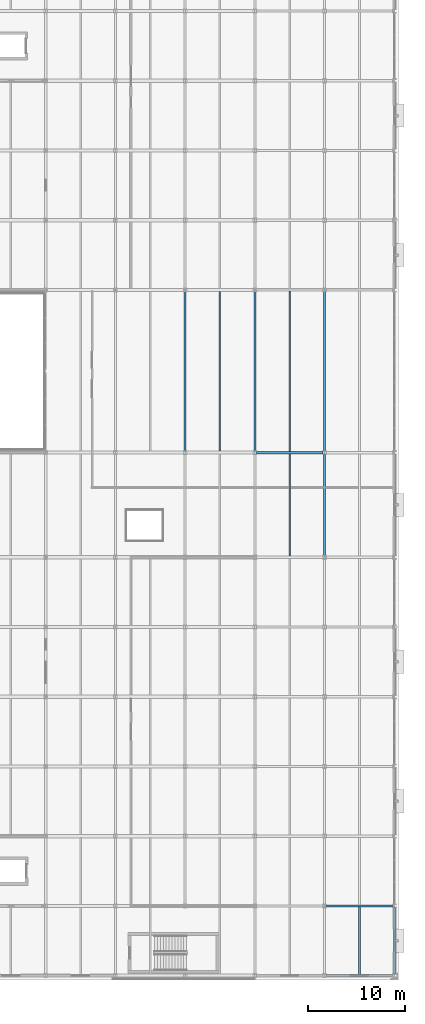
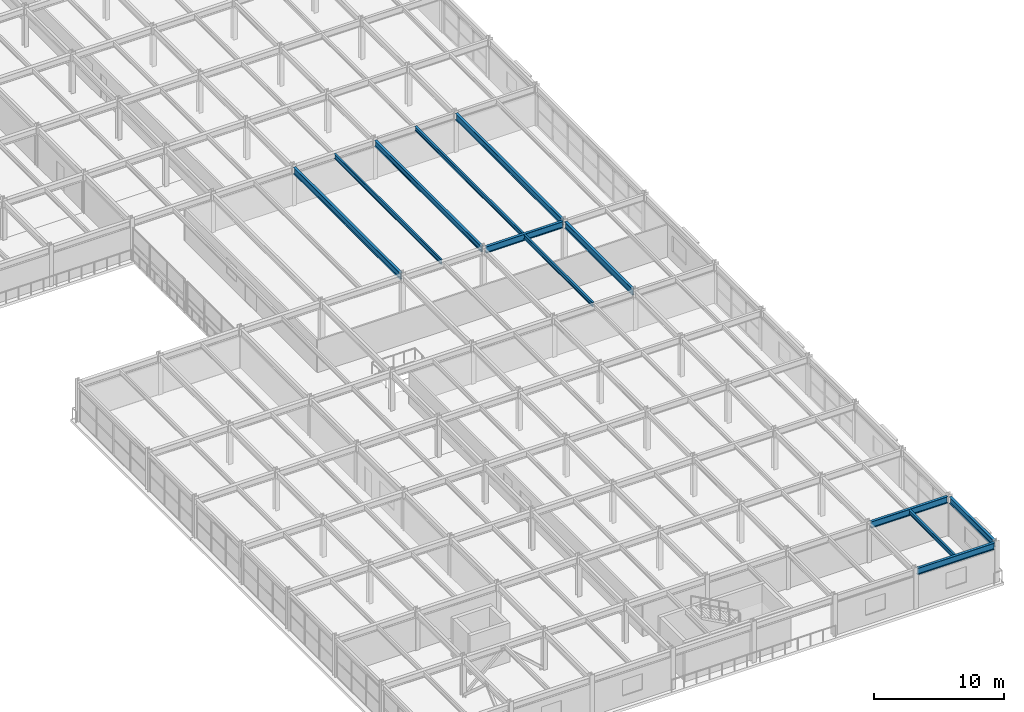
# One storey, part 37 of 93: 12 beams.
"""IFC4 building model written with IfcOpenShell, lengths in metres."""

from ifc_helpers import new_model, si_unit, direction, frame, origin, origin_2d, place, context, subcontext, project, spatial, i_section, extrude, material, material_profile, profile_set, type_object, element, save


model = new_model("IFC4")

# Units and contexts
model_context = context("Model", 3, precision=1e-05, world=origin(), true_north=direction((0.0, 1.0)))
body_context = subcontext(model_context, "Body", "Model", "MODEL_VIEW")
ifc_project = project(units=[si_unit("LENGTHUNIT", "METRE"), si_unit("AREAUNIT", "SQUARE_METRE"), si_unit("VOLUMEUNIT", "CUBIC_METRE"), si_unit("PLANEANGLEUNIT", "RADIAN"), si_unit("MASSUNIT", "GRAM", prefix="KILO")], contexts=[model_context])

# Site, building, storey
site_placement = place(None, origin())
site = spatial("IfcSite", under=ifc_project, at=site_placement, CompositionType="ELEMENT")
building_placement = place(site_placement, origin())
building = spatial("IfcBuilding", under=site, at=building_placement, Name="Vaelcorin Mobility Hub", CompositionType="ELEMENT")
storey_placement = place(building_placement, frame((0.0, 0.0, 5.39990234375)))
storey = spatial("IfcBuildingStorey", under=building, at=storey_placement, Name="L01", CompositionType="ELEMENT", Elevation=5.39990234375)

# Beams
ifc_material = material(Name="Steel ASTM A992 Grade 50", Category="steel")
ifc_material_profile_1 = material_profile(ifc_material, i_section(OverallWidth=0.177978515625, OverallDepth=0.404052734375, WebThickness=0.007568359375, FlangeThickness=0.010986328125, FilletRadius=0.012939453125, at=origin_2d()), Name="W16X36")
ifc_profile_set_1 = profile_set([ifc_material_profile_1], Name="Steel ASTM A992 Grade 50")
beam_type_1 = type_object("IfcBeamType", Name="BM-W16X36", PredefinedType="JOIST", material=ifc_profile_set_1)
beam_1_placement = place(storey_placement, frame((193.199951171875, 49.31201171875, 3.498046875), z_axis=(0.0, 1.0, 0.0), x_axis=(-1.0, 0.0, 0.0)))
element("IfcBeam", 1, at=beam_1_placement, inside=storey, type_object=beam_type_1, Name="L01 Beam V5E-L01-J-01-07-1", PredefinedType="JOIST", context=body_context, shape_type="SweptSolid", body=[
    extrude(i_section(OverallWidth=0.177978515625, OverallDepth=0.404052734375, WebThickness=0.007568359375, FlangeThickness=0.010986328125, FilletRadius=0.012939453125, at=origin_2d()), origin(), (0.0, 0.0, 1.0), 10.575927734375),
])
beam_2_placement = place(storey_placement, frame((193.199951171875, 60.112060546875, 3.498046875), z_axis=(0.0, 1.0, 0.0), x_axis=(-1.0, 0.0, 0.0)))
element("IfcBeam", 2, at=beam_2_placement, inside=storey, type_object=beam_type_1, Name="L01 Beam V5E-L01-J-01-08-1", PredefinedType="JOIST", context=body_context, shape_type="SweptSolid", body=[
    extrude(i_section(OverallWidth=0.177978515625, OverallDepth=0.404052734375, WebThickness=0.007568359375, FlangeThickness=0.010986328125, FilletRadius=0.012939453125, at=origin_2d()), origin(), (0.0, 0.0, 1.0), 16.575927734375),
])
beam_3_placement = place(storey_placement, frame((200.39990234375, 6.112060546875, 3.498046875), z_axis=(0.0, 1.0, 0.0), x_axis=(-1.0, 0.0, 0.0)))
element("IfcBeam", 3, at=beam_3_placement, inside=storey, type_object=beam_type_1, Name="L01 Beam V5E-L01-J-02-01-1", PredefinedType="JOIST", context=body_context, shape_type="SweptSolid", body=[
    extrude(i_section(OverallWidth=0.177978515625, OverallDepth=0.404052734375, WebThickness=0.007568359375, FlangeThickness=0.010986328125, FilletRadius=0.012939453125, at=origin_2d()), origin(), (0.0, 0.0, 1.0), 6.974853515625),
])
ifc_material_profile_2 = material_profile(ifc_material, i_section(OverallWidth=0.152099609375, OverallDepth=0.455078125, WebThickness=0.008056640625, FlangeThickness=0.01318359375, FilletRadius=0.012939453125, at=origin_2d()), Name="W18X40")
ifc_profile_set_2 = profile_set([ifc_material_profile_2], Name="Steel ASTM A992 Grade 50")
beam_type_2 = type_object("IfcBeamType", Name="BM-W18X40", PredefinedType="JOIST", material=ifc_profile_set_2)
beam_4_placement = place(storey_placement, frame((186.0, 60.159912109375, 3.443115234375), z_axis=(0.0, 1.0, 0.0), x_axis=(-1.0, 0.0, 0.0)))
element("IfcBeam", 4, at=beam_4_placement, inside=storey, type_object=beam_type_2, Name="L01 Beam V5-L01-J-05-08-1", PredefinedType="JOIST", context=body_context, shape_type="SweptSolid", body=[
    extrude(i_section(OverallWidth=0.152099609375, OverallDepth=0.455078125, WebThickness=0.008056640625, FlangeThickness=0.01318359375, FilletRadius=0.012939453125, at=origin_2d()), origin(), (0.0, 0.0, 1.0), 16.47998046875),
])
ifc_material_profile_3 = material_profile(ifc_material, i_section(OverallWidth=0.2099609375, OverallDepth=0.535888671875, WebThickness=0.010986328125, FlangeThickness=0.017333984375, FilletRadius=0.013916015625, at=origin_2d()), Name="W21X68")
ifc_profile_set_3 = profile_set([ifc_material_profile_3], Name="Steel ASTM A992 Grade 50")
beam_type_3 = type_object("IfcBeamType", Name="BM-W21X68", PredefinedType="SPANDREL", material=ifc_profile_set_3)
beam_5_placement = place(storey_placement, frame((189.60009765625, 60.18408203125, 3.402099609375), z_axis=(0.0, 1.0, 0.0), x_axis=(-1.0, 0.0, 0.0)))
element("IfcBeam", 5, at=beam_5_placement, inside=storey, type_object=beam_type_3, Name="L01 Beam V5-L01-GY-06-08", PredefinedType="SPANDREL", context=body_context, shape_type="SweptSolid", body=[
    extrude(i_section(OverallWidth=0.2099609375, OverallDepth=0.535888671875, WebThickness=0.010986328125, FlangeThickness=0.017333984375, FilletRadius=0.013916015625, at=origin_2d()), origin(), (0.0, 0.0, 1.0), 16.431884765625),
])
ifc_material_profile_4 = material_profile(ifc_material, i_section(OverallWidth=0.22802734375, OverallDepth=0.60205078125, WebThickness=0.010498046875, FlangeThickness=0.014892578125, FilletRadius=0.014892578125, at=origin_2d()), Name="W24X68")
ifc_profile_set_4 = profile_set([ifc_material_profile_4], Name="Steel ASTM A992 Grade 50")
beam_type_4 = type_object("IfcBeamType", Name="BM-W24X68", PredefinedType="SPANDREL", material=ifc_profile_set_4)
beam_6_placement = place(storey_placement, frame((196.985107421875, 6.0, 3.399169921875), z_axis=(1.0, 0.0, 0.0), x_axis=(0.0, 1.0, 0.0)))
element("IfcBeam", 6, at=beam_6_placement, inside=storey, type_object=beam_type_4, Name="L01 Beam V5E-L01-GX-01-02", PredefinedType="SPANDREL", context=body_context, shape_type="SweptSolid", body=[
    extrude(i_section(OverallWidth=0.22802734375, OverallDepth=0.60205078125, WebThickness=0.010498046875, FlangeThickness=0.014892578125, FilletRadius=0.014892578125, at=origin_2d()), origin(), (0.0, 0.0, 1.0), 6.830810546875),
])
beam_7_placement = place(storey_placement, frame((196.800048828125, 49.384033203125, 3.399169921875), z_axis=(0.0, 1.0, 0.0), x_axis=(-1.0, 0.0, 0.0)))
element("IfcBeam", 7, at=beam_7_placement, inside=storey, type_object=beam_type_4, Name="L01 Beam V5E-L01-GY-02-07", PredefinedType="SPANDREL", context=body_context, shape_type="SweptSolid", body=[
    extrude(i_section(OverallWidth=0.22802734375, OverallDepth=0.60205078125, WebThickness=0.010498046875, FlangeThickness=0.014892578125, FilletRadius=0.014892578125, at=origin_2d()), origin(), (0.0, 0.0, 1.0), 10.431884765625),
])
beam_8_placement = place(storey_placement, frame((196.800048828125, 60.18408203125, 3.399169921875), z_axis=(0.0, 1.0, 0.0), x_axis=(-1.0, 0.0, 0.0)))
element("IfcBeam", 8, at=beam_8_placement, inside=storey, type_object=beam_type_4, Name="L01 Beam V5E-L01-GY-02-08", PredefinedType="SPANDREL", context=body_context, shape_type="SweptSolid", body=[
    extrude(i_section(OverallWidth=0.22802734375, OverallDepth=0.60205078125, WebThickness=0.010498046875, FlangeThickness=0.014892578125, FilletRadius=0.014892578125, at=origin_2d()), origin(), (0.0, 0.0, 1.0), 16.431884765625),
])
beam_9_placement = place(storey_placement, frame((204.0, 6.18408203125, 3.399169921875), z_axis=(0.0, 1.0, 0.0), x_axis=(-1.0, 0.0, 0.0)))
element("IfcBeam", 9, at=beam_9_placement, inside=storey, type_object=beam_type_4, Name="L01 Beam V5E-L01-GY-03-01", PredefinedType="SPANDREL", context=body_context, shape_type="SweptSolid", body=[
    extrude(i_section(OverallWidth=0.22802734375, OverallDepth=0.60205078125, WebThickness=0.010498046875, FlangeThickness=0.014892578125, FilletRadius=0.014892578125, at=origin_2d()), origin(), (0.0, 0.0, 1.0), 6.83203125),
])
ifc_material_profile_5 = material_profile(ifc_material, i_section(OverallWidth=0.22900390625, OverallDepth=0.612060546875, WebThickness=0.011962890625, FlangeThickness=0.01953125, FilletRadius=0.014892578125, at=origin_2d()), Name="W24X84")
ifc_profile_set_5 = profile_set([ifc_material_profile_5], Name="Steel ASTM A992 Grade 50")
beam_type_5 = type_object("IfcBeamType", Name="BM-W24X84", PredefinedType="BEAM", material=ifc_profile_set_5)
beam_10_placement = place(storey_placement, frame((182.39990234375, 60.18408203125, 3.364013671875), z_axis=(0.0, 1.0, 0.0), x_axis=(-1.0, 0.0, 0.0)))
element("IfcBeam", 10, at=beam_10_placement, inside=storey, type_object=beam_type_5, Name="L01 Beam V5-L01-GY-05-08", PredefinedType="BEAM", context=body_context, shape_type="SweptSolid", body=[
    extrude(i_section(OverallWidth=0.22900390625, OverallDepth=0.612060546875, WebThickness=0.011962890625, FlangeThickness=0.01953125, FilletRadius=0.014892578125, at=origin_2d()), origin(), (0.0, 0.0, 1.0), 16.431884765625),
])
beam_11_placement = place(storey_placement, frame((196.985107421875, 13.199951171875, 3.39404296875), z_axis=(1.0, 0.0, 0.0), x_axis=(0.0, 1.0, 0.0)))
element("IfcBeam", 11, at=beam_11_placement, inside=storey, type_object=beam_type_5, Name="L01 Beam V5E-L01-GX-02-02", PredefinedType="BEAM", context=body_context, shape_type="SweptSolid", body=[
    extrude(i_section(OverallWidth=0.22900390625, OverallDepth=0.612060546875, WebThickness=0.011962890625, FlangeThickness=0.01953125, FilletRadius=0.014892578125, at=origin_2d()), origin(), (0.0, 0.0, 1.0), 6.830810546875),
])
beam_12_placement = place(storey_placement, frame((189.783935546875, 60.0, 3.39404296875), z_axis=(1.0, 0.0, 0.0), x_axis=(0.0, 1.0, 0.0)))
element("IfcBeam", 12, at=beam_12_placement, inside=storey, type_object=beam_type_5, Name="L01 Beam V5E-L01-GX-08-01", PredefinedType="BEAM", context=body_context, shape_type="SweptSolid", body=[
    extrude(i_section(OverallWidth=0.22900390625, OverallDepth=0.612060546875, WebThickness=0.011962890625, FlangeThickness=0.01953125, FilletRadius=0.014892578125, at=origin_2d()), origin(), (0.0, 0.0, 1.0), 6.83203125),
])

save(model, "model.ifc")
